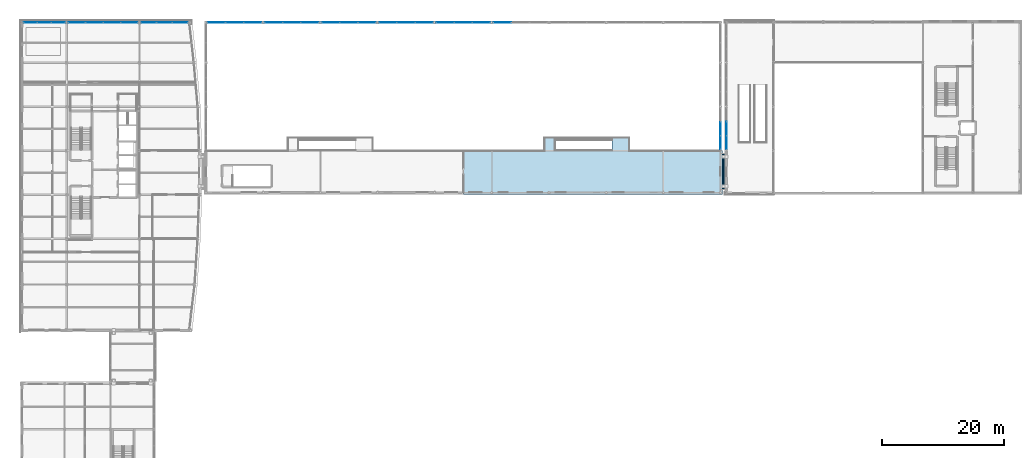
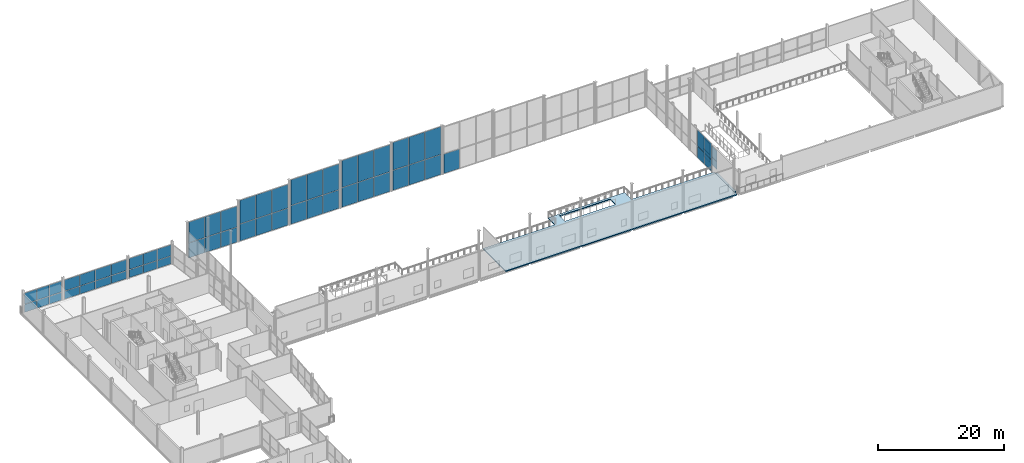
# One storey, part 56 of 77: 59 plates, 2 slabs, 11 elements without a shape of their own.
"""IFC4 building model written with IfcOpenShell, lengths in metres."""

from ifc_helpers import new_model, si_unit, direction, frame, origin, origin_2d, place, context, subcontext, project, spatial, polyline, rectangle, outline, extrude, material, layer, layer_set, type_object, element, aggregate, save


model = new_model("IFC4")

# Units and contexts
model_context = context("Model", 3, precision=1e-05, world=origin(), true_north=direction((0.0, 1.0)))
body_context = subcontext(model_context, "Body", "Model", "MODEL_VIEW")
ifc_project = project(units=[si_unit("LENGTHUNIT", "METRE"), si_unit("AREAUNIT", "SQUARE_METRE"), si_unit("VOLUMEUNIT", "CUBIC_METRE"), si_unit("PLANEANGLEUNIT", "RADIAN"), si_unit("MASSUNIT", "GRAM", prefix="KILO")], contexts=[model_context])

# Site, building, storey
site_placement = place(None, origin())
site = spatial("IfcSite", under=ifc_project, at=site_placement, CompositionType="ELEMENT")
building_placement = place(site_placement, origin())
building = spatial("IfcBuilding", under=site, at=building_placement, Name="Quillay Park Conservatory", CompositionType="ELEMENT")
storey_placement = place(building_placement, frame((0.0, 0.0, 5.39990234375)))
storey = spatial("IfcBuildingStorey", under=building, at=storey_placement, Name="L01", CompositionType="ELEMENT", Elevation=5.39990234375)

# Curtain wall, plates
ifc_material_1 = material(Name="Thermally Broken Anodised Aluminium 6063-T6", Category="aluminium")
ifc_layer_1 = layer(ifc_material_1, 0.179931640625)
ifc_layer_set_1 = layer_set([ifc_layer_1], Name="UNITISED CURTAIN WALL TOWER (Thermally Broken Anodised Aluminium 6063-T6)")
curtain_wall_type_1 = type_object("IfcCurtainWallType", Name="UNITISED CURTAIN WALL TOWER", PredefinedType="USERDEFINED", material=ifc_layer_set_1)
curtain_wall_1_placement = place(storey_placement, origin())
curtain_wall_1 = element("IfcCurtainWall", 1, at=curtain_wall_1_placement, inside=storey, type_object=curtain_wall_type_1, Name="L01 Unitised Curtain Wall 016", ObjectType="UNITISED CURTAIN WALL", PredefinedType="USERDEFINED")
ifc_material_2 = material(Name="Low-E Double Glazing (Laminated Tempered)", Category="glass")
ifc_layer_2 = layer(ifc_material_2, 0.028076171875)
ifc_layer_set_2 = layer_set([ifc_layer_2], Name="CURTAIN WALL GLAZED PANEL 28 (Low-E Double Glazing (Laminated Tempered))")
plate_type_1 = type_object("IfcPlateType", Name="CURTAIN WALL GLAZED PANEL 28", PredefinedType="CURTAIN_PANEL", material=ifc_layer_set_2)
plate_1_placement = place(storey_placement, frame((1.91748046875, 113.39990234375, 0.06982421875), z_axis=(0.0, 0.0, 1.0), x_axis=(1.0, 0.0, 0.0)))
plate_1 = element("IfcPlate", 2, at=plate_1_placement, type_object=plate_type_1, Name="CW-T1 panel 1.1", PredefinedType="CURTAIN_PANEL", context=body_context, shape_type="SweptSolid", body=[
    extrude(rectangle(XDim=2.195068359375, YDim=0.028076171875, at=origin_2d()), origin(), (0.0, 0.0, 1.0), 1.515869140625),
])
plate_2_placement = place(storey_placement, frame((1.91748046875, 113.39990234375, 1.65576171875), z_axis=(0.0, 0.0, 1.0), x_axis=(1.0, 0.0, 0.0)))
plate_2 = element("IfcPlate", 3, at=plate_2_placement, type_object=plate_type_1, Name="CW-T1 panel 1.2", PredefinedType="CURTAIN_PANEL", context=body_context, shape_type="SweptSolid", body=[
    extrude(rectangle(XDim=2.195068359375, YDim=0.028076171875, at=origin_2d()), origin(), (0.0, 0.0, 1.0), 2.13330078125),
])
plate_3_placement = place(storey_placement, frame((4.199951171875, 113.39990234375, 0.06982421875), z_axis=(0.0, 0.0, 1.0), x_axis=(1.0, 0.0, 0.0)))
plate_3 = element("IfcPlate", 4, at=plate_3_placement, type_object=plate_type_1, Name="CW-T1 panel 2.1", PredefinedType="CURTAIN_PANEL", context=body_context, shape_type="SweptSolid", body=[
    extrude(rectangle(XDim=2.22998046875, YDim=0.028076171875, at=origin_2d()), origin(), (0.0, 0.0, 1.0), 1.515869140625),
])
plate_4_placement = place(storey_placement, frame((4.199951171875, 113.39990234375, 1.65576171875), z_axis=(0.0, 0.0, 1.0), x_axis=(1.0, 0.0, 0.0)))
plate_4 = element("IfcPlate", 5, at=plate_4_placement, type_object=plate_type_1, Name="CW-T1 panel 2.2", PredefinedType="CURTAIN_PANEL", context=body_context, shape_type="SweptSolid", body=[
    extrude(rectangle(XDim=2.22998046875, YDim=0.028076171875, at=origin_2d()), origin(), (0.0, 0.0, 1.0), 2.13330078125),
])
plate_5_placement = place(storey_placement, frame((6.482421875, 113.39990234375, 0.06982421875), z_axis=(0.0, 0.0, 1.0), x_axis=(1.0, 0.0, 0.0)))
plate_5 = element("IfcPlate", 6, at=plate_5_placement, type_object=plate_type_1, Name="CW-T1 panel 3.1", PredefinedType="CURTAIN_PANEL", context=body_context, shape_type="SweptSolid", body=[
    extrude(rectangle(XDim=2.195068359375, YDim=0.028076171875, at=origin_2d()), origin(), (0.0, 0.0, 1.0), 1.515869140625),
])
plate_6_placement = place(storey_placement, frame((6.482421875, 113.39990234375, 1.65576171875), z_axis=(0.0, 0.0, 1.0), x_axis=(1.0, 0.0, 0.0)))
plate_6 = element("IfcPlate", 7, at=plate_6_placement, type_object=plate_type_1, Name="CW-T1 panel 3.2", PredefinedType="CURTAIN_PANEL", context=body_context, shape_type="SweptSolid", body=[
    extrude(rectangle(XDim=2.195068359375, YDim=0.028076171875, at=origin_2d()), origin(), (0.0, 0.0, 1.0), 2.13330078125),
])
aggregate(curtain_wall_1, [plate_1, plate_2, plate_3, plate_4, plate_5, plate_6])

curtain_wall_2_placement = place(storey_placement, origin())
curtain_wall_2 = element("IfcCurtainWall", 8, at=curtain_wall_2_placement, inside=storey, type_object=curtain_wall_type_1, Name="L01 Unitised Curtain Wall 017", ObjectType="UNITISED CURTAIN WALL", PredefinedType="USERDEFINED")
plate_7_placement = place(storey_placement, frame((9.5048828125, 113.39990234375, 0.06982421875), z_axis=(0.0, 0.0, 1.0), x_axis=(1.0, 0.0, 0.0)))
plate_7 = element("IfcPlate", 9, at=plate_7_placement, type_object=plate_type_1, Name="CW-T1 panel 1.1", PredefinedType="CURTAIN_PANEL", context=body_context, shape_type="SweptSolid", body=[
    extrude(rectangle(XDim=2.77001953125, YDim=0.028076171875, at=origin_2d()), origin(), (0.0, 0.0, 1.0), 1.515869140625),
])
plate_8_placement = place(storey_placement, frame((9.5048828125, 113.39990234375, 1.65576171875), z_axis=(0.0, 0.0, 1.0), x_axis=(1.0, 0.0, 0.0)))
plate_8 = element("IfcPlate", 10, at=plate_8_placement, type_object=plate_type_1, Name="CW-T1 panel 1.2", PredefinedType="CURTAIN_PANEL", context=body_context, shape_type="SweptSolid", body=[
    extrude(rectangle(XDim=2.77001953125, YDim=0.028076171875, at=origin_2d()), origin(), (0.0, 0.0, 1.0), 2.13330078125),
])
plate_9_placement = place(storey_placement, frame((12.362548828125, 113.39990234375, 0.06982421875), z_axis=(0.0, 0.0, 1.0), x_axis=(1.0, 0.0, 0.0)))
plate_9 = element("IfcPlate", 11, at=plate_9_placement, type_object=plate_type_1, Name="CW-T1 panel 2.1", PredefinedType="CURTAIN_PANEL", context=body_context, shape_type="SweptSolid", body=[
    extrude(rectangle(XDim=2.804931640625, YDim=0.028076171875, at=origin_2d()), origin(), (0.0, 0.0, 1.0), 1.515869140625),
])
plate_10_placement = place(storey_placement, frame((12.362548828125, 113.39990234375, 1.65576171875), z_axis=(0.0, 0.0, 1.0), x_axis=(1.0, 0.0, 0.0)))
plate_10 = element("IfcPlate", 12, at=plate_10_placement, type_object=plate_type_1, Name="CW-T1 panel 2.2", PredefinedType="CURTAIN_PANEL", context=body_context, shape_type="SweptSolid", body=[
    extrude(rectangle(XDim=2.804931640625, YDim=0.028076171875, at=origin_2d()), origin(), (0.0, 0.0, 1.0), 2.13330078125),
])
plate_11_placement = place(storey_placement, frame((15.237548828125, 113.39990234375, 0.06982421875), z_axis=(0.0, 0.0, 1.0), x_axis=(1.0, 0.0, 0.0)))
plate_11 = element("IfcPlate", 13, at=plate_11_placement, type_object=plate_type_1, Name="CW-T1 panel 3.1", PredefinedType="CURTAIN_PANEL", context=body_context, shape_type="SweptSolid", body=[
    extrude(rectangle(XDim=2.804931640625, YDim=0.028076171875, at=origin_2d()), origin(), (0.0, 0.0, 1.0), 1.515869140625),
])
plate_12_placement = place(storey_placement, frame((15.237548828125, 113.39990234375, 1.65576171875), z_axis=(0.0, 0.0, 1.0), x_axis=(1.0, 0.0, 0.0)))
plate_12 = element("IfcPlate", 14, at=plate_12_placement, type_object=plate_type_1, Name="CW-T1 panel 3.2", PredefinedType="CURTAIN_PANEL", context=body_context, shape_type="SweptSolid", body=[
    extrude(rectangle(XDim=2.804931640625, YDim=0.028076171875, at=origin_2d()), origin(), (0.0, 0.0, 1.0), 2.13330078125),
])
plate_13_placement = place(storey_placement, frame((18.094970703125, 113.39990234375, 0.06982421875), z_axis=(0.0, 0.0, 1.0), x_axis=(1.0, 0.0, 0.0)))
plate_13 = element("IfcPlate", 15, at=plate_13_placement, type_object=plate_type_1, Name="CW-T1 panel 4.1", PredefinedType="CURTAIN_PANEL", context=body_context, shape_type="SweptSolid", body=[
    extrude(rectangle(XDim=2.77001953125, YDim=0.028076171875, at=origin_2d()), origin(), (0.0, 0.0, 1.0), 1.515869140625),
])
plate_14_placement = place(storey_placement, frame((18.094970703125, 113.39990234375, 1.65576171875), z_axis=(0.0, 0.0, 1.0), x_axis=(1.0, 0.0, 0.0)))
plate_14 = element("IfcPlate", 16, at=plate_14_placement, type_object=plate_type_1, Name="CW-T1 panel 4.2", PredefinedType="CURTAIN_PANEL", context=body_context, shape_type="SweptSolid", body=[
    extrude(rectangle(XDim=2.77001953125, YDim=0.028076171875, at=origin_2d()), origin(), (0.0, 0.0, 1.0), 2.13330078125),
])
aggregate(curtain_wall_2, [plate_7, plate_8, plate_9, plate_10, plate_11, plate_12, plate_13, plate_14])

curtain_wall_3_placement = place(storey_placement, origin())
curtain_wall_3 = element("IfcCurtainWall", 17, at=curtain_wall_3_placement, inside=storey, type_object=curtain_wall_type_1, Name="L01 Unitised Curtain Wall 018", ObjectType="UNITISED CURTAIN WALL", PredefinedType="USERDEFINED")
plate_15_placement = place(storey_placement, frame((21.263427734375, 113.39990234375, 0.06982421875), z_axis=(0.0, 0.0, 1.0), x_axis=(1.0, 0.0, 0.0)))
plate_15 = element("IfcPlate", 18, at=plate_15_placement, type_object=plate_type_1, Name="CW-T1 panel 1.1", PredefinedType="CURTAIN_PANEL", context=body_context, shape_type="SweptSolid", body=[
    extrude(rectangle(XDim=2.486572265625, YDim=0.028076171875, at=origin_2d()), origin(), (0.0, 0.0, 1.0), 1.515869140625),
])
plate_16_placement = place(storey_placement, frame((21.263427734375, 113.39990234375, 1.65576171875), z_axis=(0.0, 0.0, 1.0), x_axis=(1.0, 0.0, 0.0)))
plate_16 = element("IfcPlate", 19, at=plate_16_placement, type_object=plate_type_1, Name="CW-T1 panel 1.2", PredefinedType="CURTAIN_PANEL", context=body_context, shape_type="SweptSolid", body=[
    extrude(rectangle(XDim=2.486572265625, YDim=0.028076171875, at=origin_2d()), origin(), (0.0, 0.0, 1.0), 2.13330078125),
])
plate_17_placement = place(storey_placement, frame((23.83740234375, 113.39990234375, 0.06982421875), z_axis=(0.0, 0.0, 1.0), x_axis=(1.0, 0.0, 0.0)))
plate_17 = element("IfcPlate", 20, at=plate_17_placement, type_object=plate_type_1, Name="CW-T1 panel 2.1", PredefinedType="CURTAIN_PANEL", context=body_context, shape_type="SweptSolid", body=[
    extrude(rectangle(XDim=2.521728515625, YDim=0.028076171875, at=origin_2d()), origin(), (0.0, 0.0, 1.0), 1.515869140625),
])
plate_18_placement = place(storey_placement, frame((23.83740234375, 113.39990234375, 1.65576171875), z_axis=(0.0, 0.0, 1.0), x_axis=(1.0, 0.0, 0.0)))
plate_18 = element("IfcPlate", 21, at=plate_18_placement, type_object=plate_type_1, Name="CW-T1 panel 2.2", PredefinedType="CURTAIN_PANEL", context=body_context, shape_type="SweptSolid", body=[
    extrude(rectangle(XDim=2.521728515625, YDim=0.028076171875, at=origin_2d()), origin(), (0.0, 0.0, 1.0), 2.13330078125),
])
plate_19_placement = place(storey_placement, frame((26.41162109375, 113.39990234375, 0.06982421875), z_axis=(0.0, 0.0, 1.0), x_axis=(1.0, 0.0, 0.0)))
plate_19 = element("IfcPlate", 22, at=plate_19_placement, type_object=plate_type_1, Name="CW-T1 panel 3.1", PredefinedType="CURTAIN_PANEL", context=body_context, shape_type="SweptSolid", body=[
    extrude(rectangle(XDim=2.486572265625, YDim=0.028076171875, at=origin_2d()), origin(), (0.0, 0.0, 1.0), 1.515869140625),
])
plate_20_placement = place(storey_placement, frame((26.41162109375, 113.39990234375, 1.65576171875), z_axis=(0.0, 0.0, 1.0), x_axis=(1.0, 0.0, 0.0)))
plate_20 = element("IfcPlate", 23, at=plate_20_placement, type_object=plate_type_1, Name="CW-T1 panel 3.2", PredefinedType="CURTAIN_PANEL", context=body_context, shape_type="SweptSolid", body=[
    extrude(rectangle(XDim=2.486572265625, YDim=0.028076171875, at=origin_2d()), origin(), (0.0, 0.0, 1.0), 2.13330078125),
])
aggregate(curtain_wall_3, [plate_15, plate_16, plate_17, plate_18, plate_19, plate_20])

ifc_material_3 = material(Name="Thermally Broken Anodised Aluminium 6063-T6", Category="aluminium")
ifc_layer_3 = layer(ifc_material_3, 0.1650390625)
ifc_layer_set_3 = layer_set([ifc_layer_3], Name="UNITISED CURTAIN WALL PODIUM (Thermally Broken Anodised Aluminium 6063-T6)")
curtain_wall_type_2 = type_object("IfcCurtainWallType", Name="UNITISED CURTAIN WALL PODIUM", PredefinedType="USERDEFINED", material=ifc_layer_set_3)
curtain_wall_4_placement = place(storey_placement, origin())
curtain_wall_4 = element("IfcCurtainWall", 24, at=curtain_wall_4_placement, inside=storey, type_object=curtain_wall_type_2, Name="L01 Unitised Curtain Wall 224", ObjectType="UNITISED CURTAIN WALL", PredefinedType="USERDEFINED")
plate_21_placement = place(storey_placement, frame((115.85009765625, 93.72412109375, 0.0703125), z_axis=(0.0, 0.0, 1.0), x_axis=(0.0, 1.0, 0.0)))
plate_21 = element("IfcPlate", 25, at=plate_21_placement, type_object=plate_type_1, Name="CW-P1 panel 1.1", PredefinedType="CURTAIN_PANEL", context=body_context, shape_type="SweptSolid", body=[
    extrude(rectangle(XDim=2.188232421875, YDim=0.028076171875, at=origin_2d()), origin(), (0.0, 0.0, 1.0), 1.469482421875),
])
plate_22_placement = place(storey_placement, frame((115.85009765625, 93.72412109375, 1.609619140625), z_axis=(0.0, 0.0, 1.0), x_axis=(0.0, 1.0, 0.0)))
plate_22 = element("IfcPlate", 26, at=plate_22_placement, type_object=plate_type_1, Name="CW-P1 panel 1.2", PredefinedType="CURTAIN_PANEL", context=body_context, shape_type="SweptSolid", body=[
    extrude(rectangle(XDim=2.188232421875, YDim=0.028076171875, at=origin_2d()), origin(), (0.0, 0.0, 1.0), 2.0693359375),
])
plate_23_placement = place(storey_placement, frame((115.85009765625, 96.0, 0.0703125), z_axis=(0.0, 0.0, 1.0), x_axis=(0.0, 1.0, 0.0)))
plate_23 = element("IfcPlate", 27, at=plate_23_placement, type_object=plate_type_1, Name="CW-P1 panel 2.1", PredefinedType="CURTAIN_PANEL", context=body_context, shape_type="SweptSolid", body=[
    extrude(rectangle(XDim=2.223388671875, YDim=0.028076171875, at=origin_2d()), origin(), (0.0, 0.0, 1.0), 1.469482421875),
])
plate_24_placement = place(storey_placement, frame((115.85009765625, 96.0, 1.609619140625), z_axis=(0.0, 0.0, 1.0), x_axis=(0.0, 1.0, 0.0)))
plate_24 = element("IfcPlate", 28, at=plate_24_placement, type_object=plate_type_1, Name="CW-P1 panel 2.2", PredefinedType="CURTAIN_PANEL", context=body_context, shape_type="SweptSolid", body=[
    extrude(rectangle(XDim=2.223388671875, YDim=0.028076171875, at=origin_2d()), origin(), (0.0, 0.0, 1.0), 2.0693359375),
])
aggregate(curtain_wall_4, [plate_21, plate_22, plate_23, plate_24])

ifc_material_4 = material(Name="Thermally Broken Anodised Aluminium 6063-T6", Category="aluminium")
ifc_layer_4 = layer(ifc_material_4, 0.219970703125)
ifc_layer_set_4 = layer_set([ifc_layer_4], Name="UNITISED CURTAIN WALL CONSERVATORY (Thermally Broken Anodised Aluminium 6063-T6)")
curtain_wall_type_3 = type_object("IfcCurtainWallType", Name="UNITISED CURTAIN WALL CONSERVATORY", PredefinedType="USERDEFINED", material=ifc_layer_set_4)
curtain_wall_5_placement = place(storey_placement, origin())
curtain_wall_5 = element("IfcCurtainWall", 29, at=curtain_wall_5_placement, inside=storey, type_object=curtain_wall_type_3, Name="L01 Unitised Curtain Wall 148", ObjectType="UNITISED CURTAIN WALL", PredefinedType="USERDEFINED")
ifc_material_5 = material(Name="Low-Iron Laminated Insulated Glazing", Category="glass")
ifc_layer_5 = layer(ifc_material_5, 0.031982421875)
ifc_layer_set_5 = layer_set([ifc_layer_5], Name="CURTAIN WALL GLAZED PANEL 32 (Low-Iron Laminated Insulated Glazing)")
plate_type_2 = type_object("IfcPlateType", Name="CURTAIN WALL GLAZED PANEL 32", PredefinedType="CURTAIN_PANEL", material=ifc_layer_set_5)
plate_25_placement = place(storey_placement, frame((32.361328125, 113.39990234375, 0.070068359375), z_axis=(0.0, 0.0, 1.0), x_axis=(1.0, 0.0, 0.0)))
plate_25 = element("IfcPlate", 30, at=plate_25_placement, type_object=plate_type_2, Name="CW-C1 panel 1.1", PredefinedType="CURTAIN_PANEL", context=body_context, shape_type="SweptSolid", body=[
    extrude(rectangle(XDim=2.87890625, YDim=0.031982421875, at=origin_2d()), origin(), (0.0, 0.0, 1.0), 2.87890625),
])
plate_26_placement = place(storey_placement, frame((32.361328125, 113.39990234375, 3.01904296875), z_axis=(0.0, 0.0, 1.0), x_axis=(1.0, 0.0, 0.0)))
plate_26 = element("IfcPlate", 31, at=plate_26_placement, type_object=plate_type_2, Name="CW-C1 panel 1.2", PredefinedType="CURTAIN_PANEL", context=body_context, shape_type="SweptSolid", body=[
    extrude(rectangle(XDim=2.87890625, YDim=0.031982421875, at=origin_2d()), origin(), (0.0, 0.0, 1.0), 4.015380859375),
])
plate_27_placement = place(storey_placement, frame((35.327880859375, 113.39990234375, 0.070068359375), z_axis=(0.0, 0.0, 1.0), x_axis=(1.0, 0.0, 0.0)))
plate_27 = element("IfcPlate", 32, at=plate_27_placement, type_object=plate_type_2, Name="CW-C1 panel 2.1", PredefinedType="CURTAIN_PANEL", context=body_context, shape_type="SweptSolid", body=[
    extrude(rectangle(XDim=2.913818359375, YDim=0.031982421875, at=origin_2d()), origin(), (0.0, 0.0, 1.0), 2.87890625),
])
plate_28_placement = place(storey_placement, frame((35.327880859375, 113.39990234375, 3.01904296875), z_axis=(0.0, 0.0, 1.0), x_axis=(1.0, 0.0, 0.0)))
plate_28 = element("IfcPlate", 33, at=plate_28_placement, type_object=plate_type_2, Name="CW-C1 panel 2.2", PredefinedType="CURTAIN_PANEL", context=body_context, shape_type="SweptSolid", body=[
    extrude(rectangle(XDim=2.913818359375, YDim=0.031982421875, at=origin_2d()), origin(), (0.0, 0.0, 1.0), 4.015380859375),
])
plate_29_placement = place(storey_placement, frame((38.294189453125, 113.39990234375, 0.070068359375), z_axis=(0.0, 0.0, 1.0), x_axis=(1.0, 0.0, 0.0)))
plate_29 = element("IfcPlate", 34, at=plate_29_placement, type_object=plate_type_2, Name="CW-C1 panel 3.1", PredefinedType="CURTAIN_PANEL", context=body_context, shape_type="SweptSolid", body=[
    extrude(rectangle(XDim=2.87890625, YDim=0.031982421875, at=origin_2d()), origin(), (0.0, 0.0, 1.0), 2.87890625),
])
plate_30_placement = place(storey_placement, frame((38.294189453125, 113.39990234375, 3.01904296875), z_axis=(0.0, 0.0, 1.0), x_axis=(1.0, 0.0, 0.0)))
plate_30 = element("IfcPlate", 35, at=plate_30_placement, type_object=plate_type_2, Name="CW-C1 panel 3.2", PredefinedType="CURTAIN_PANEL", context=body_context, shape_type="SweptSolid", body=[
    extrude(rectangle(XDim=2.87890625, YDim=0.031982421875, at=origin_2d()), origin(), (0.0, 0.0, 1.0), 4.015380859375),
])
aggregate(curtain_wall_5, [plate_25, plate_26, plate_27, plate_28, plate_29, plate_30])

curtain_wall_6_placement = place(storey_placement, origin())
curtain_wall_6 = element("IfcCurtainWall", 36, at=curtain_wall_6_placement, inside=storey, type_object=curtain_wall_type_3, Name="L01 Unitised Curtain Wall 149", ObjectType="UNITISED CURTAIN WALL", PredefinedType="USERDEFINED")
plate_31_placement = place(storey_placement, frame((41.717041015625, 113.39990234375, 0.070068359375), z_axis=(0.0, 0.0, 1.0), x_axis=(1.0, 0.0, 0.0)))
plate_31 = element("IfcPlate", 37, at=plate_31_placement, type_object=plate_type_2, Name="CW-C1 panel 1.1", PredefinedType="CURTAIN_PANEL", context=body_context, shape_type="SweptSolid", body=[
    extrude(rectangle(XDim=2.87890625, YDim=0.031982421875, at=origin_2d()), origin(), (0.0, 0.0, 1.0), 3.27099609375),
])
plate_32_placement = place(storey_placement, frame((41.717041015625, 113.39990234375, 3.4111328125), z_axis=(0.0, 0.0, 1.0), x_axis=(1.0, 0.0, 0.0)))
plate_32 = element("IfcPlate", 38, at=plate_32_placement, type_object=plate_type_2, Name="CW-C1 panel 1.2", PredefinedType="CURTAIN_PANEL", context=body_context, shape_type="SweptSolid", body=[
    extrude(rectangle(XDim=2.87890625, YDim=0.031982421875, at=origin_2d()), origin(), (0.0, 0.0, 1.0), 4.556884765625),
])
plate_33_placement = place(storey_placement, frame((44.683349609375, 113.39990234375, 0.070068359375), z_axis=(0.0, 0.0, 1.0), x_axis=(1.0, 0.0, 0.0)))
plate_33 = element("IfcPlate", 39, at=plate_33_placement, type_object=plate_type_2, Name="CW-C1 panel 2.1", PredefinedType="CURTAIN_PANEL", context=body_context, shape_type="SweptSolid", body=[
    extrude(rectangle(XDim=2.913818359375, YDim=0.031982421875, at=origin_2d()), origin(), (0.0, 0.0, 1.0), 3.27099609375),
])
plate_34_placement = place(storey_placement, frame((44.683349609375, 113.39990234375, 3.4111328125), z_axis=(0.0, 0.0, 1.0), x_axis=(1.0, 0.0, 0.0)))
plate_34 = element("IfcPlate", 40, at=plate_34_placement, type_object=plate_type_2, Name="CW-C1 panel 2.2", PredefinedType="CURTAIN_PANEL", context=body_context, shape_type="SweptSolid", body=[
    extrude(rectangle(XDim=2.913818359375, YDim=0.031982421875, at=origin_2d()), origin(), (0.0, 0.0, 1.0), 4.556884765625),
])
plate_35_placement = place(storey_placement, frame((47.649658203125, 113.39990234375, 0.070068359375), z_axis=(0.0, 0.0, 1.0), x_axis=(1.0, 0.0, 0.0)))
plate_35 = element("IfcPlate", 41, at=plate_35_placement, type_object=plate_type_2, Name="CW-C1 panel 3.1", PredefinedType="CURTAIN_PANEL", context=body_context, shape_type="SweptSolid", body=[
    extrude(rectangle(XDim=2.87890625, YDim=0.031982421875, at=origin_2d()), origin(), (0.0, 0.0, 1.0), 3.27099609375),
])
plate_36_placement = place(storey_placement, frame((47.649658203125, 113.39990234375, 3.4111328125), z_axis=(0.0, 0.0, 1.0), x_axis=(1.0, 0.0, 0.0)))
plate_36 = element("IfcPlate", 42, at=plate_36_placement, type_object=plate_type_2, Name="CW-C1 panel 3.2", PredefinedType="CURTAIN_PANEL", context=body_context, shape_type="SweptSolid", body=[
    extrude(rectangle(XDim=2.87890625, YDim=0.031982421875, at=origin_2d()), origin(), (0.0, 0.0, 1.0), 4.556884765625),
])
aggregate(curtain_wall_6, [plate_31, plate_32, plate_33, plate_34, plate_35, plate_36])

curtain_wall_7_placement = place(storey_placement, origin())
curtain_wall_7 = element("IfcCurtainWall", 43, at=curtain_wall_7_placement, inside=storey, type_object=curtain_wall_type_3, Name="L01 Unitised Curtain Wall 151", ObjectType="UNITISED CURTAIN WALL", PredefinedType="USERDEFINED")
plate_37_placement = place(storey_placement, frame((51.072509765625, 113.39990234375, 0.06982421875), z_axis=(0.0, 0.0, 1.0), x_axis=(1.0, 0.0, 0.0)))
plate_37 = element("IfcPlate", 44, at=plate_37_placement, type_object=plate_type_2, Name="CW-C1 panel 1.1", PredefinedType="CURTAIN_PANEL", context=body_context, shape_type="SweptSolid", body=[
    extrude(rectangle(XDim=2.87890625, YDim=0.031982421875, at=origin_2d()), origin(), (0.0, 0.0, 1.0), 3.564697265625),
])
plate_38_placement = place(storey_placement, frame((51.072509765625, 113.39990234375, 3.70458984375), z_axis=(0.0, 0.0, 1.0), x_axis=(1.0, 0.0, 0.0)))
plate_38 = element("IfcPlate", 45, at=plate_38_placement, type_object=plate_type_2, Name="CW-C1 panel 1.2", PredefinedType="CURTAIN_PANEL", context=body_context, shape_type="SweptSolid", body=[
    extrude(rectangle(XDim=2.87890625, YDim=0.031982421875, at=origin_2d()), origin(), (0.0, 0.0, 1.0), 4.96240234375),
])
plate_39_placement = place(storey_placement, frame((54.038818359375, 113.39990234375, 0.06982421875), z_axis=(0.0, 0.0, 1.0), x_axis=(1.0, 0.0, 0.0)))
plate_39 = element("IfcPlate", 46, at=plate_39_placement, type_object=plate_type_2, Name="CW-C1 panel 2.1", PredefinedType="CURTAIN_PANEL", context=body_context, shape_type="SweptSolid", body=[
    extrude(rectangle(XDim=2.913818359375, YDim=0.031982421875, at=origin_2d()), origin(), (0.0, 0.0, 1.0), 3.564697265625),
])
plate_40_placement = place(storey_placement, frame((54.038818359375, 113.39990234375, 3.70458984375), z_axis=(0.0, 0.0, 1.0), x_axis=(1.0, 0.0, 0.0)))
plate_40 = element("IfcPlate", 47, at=plate_40_placement, type_object=plate_type_2, Name="CW-C1 panel 2.2", PredefinedType="CURTAIN_PANEL", context=body_context, shape_type="SweptSolid", body=[
    extrude(rectangle(XDim=2.913818359375, YDim=0.031982421875, at=origin_2d()), origin(), (0.0, 0.0, 1.0), 4.96240234375),
])
plate_41_placement = place(storey_placement, frame((57.00537109375, 113.39990234375, 0.06982421875), z_axis=(0.0, 0.0, 1.0), x_axis=(1.0, 0.0, 0.0)))
plate_41 = element("IfcPlate", 48, at=plate_41_placement, type_object=plate_type_2, Name="CW-C1 panel 3.1", PredefinedType="CURTAIN_PANEL", context=body_context, shape_type="SweptSolid", body=[
    extrude(rectangle(XDim=2.87890625, YDim=0.031982421875, at=origin_2d()), origin(), (0.0, 0.0, 1.0), 3.564697265625),
])
plate_42_placement = place(storey_placement, frame((57.00537109375, 113.39990234375, 3.70458984375), z_axis=(0.0, 0.0, 1.0), x_axis=(1.0, 0.0, 0.0)))
plate_42 = element("IfcPlate", 49, at=plate_42_placement, type_object=plate_type_2, Name="CW-C1 panel 3.2", PredefinedType="CURTAIN_PANEL", context=body_context, shape_type="SweptSolid", body=[
    extrude(rectangle(XDim=2.87890625, YDim=0.031982421875, at=origin_2d()), origin(), (0.0, 0.0, 1.0), 4.96240234375),
])
aggregate(curtain_wall_7, [plate_37, plate_38, plate_39, plate_40, plate_41, plate_42])

curtain_wall_8_placement = place(storey_placement, origin())
curtain_wall_8 = element("IfcCurtainWall", 50, at=curtain_wall_8_placement, inside=storey, type_object=curtain_wall_type_3, Name="L01 Unitised Curtain Wall 153", ObjectType="UNITISED CURTAIN WALL", PredefinedType="USERDEFINED")
plate_43_placement = place(storey_placement, frame((60.42822265625, 113.39990234375, 0.070068359375), z_axis=(0.0, 0.0, 1.0), x_axis=(1.0, 0.0, 0.0)))
plate_43 = element("IfcPlate", 51, at=plate_43_placement, type_object=plate_type_2, Name="CW-C1 panel 1.1", PredefinedType="CURTAIN_PANEL", context=body_context, shape_type="SweptSolid", body=[
    extrude(rectangle(XDim=2.87890625, YDim=0.031982421875, at=origin_2d()), origin(), (0.0, 0.0, 1.0), 3.759765625),
])
plate_44_placement = place(storey_placement, frame((60.42822265625, 113.39990234375, 3.89990234375), z_axis=(0.0, 0.0, 1.0), x_axis=(1.0, 0.0, 0.0)))
plate_44 = element("IfcPlate", 52, at=plate_44_placement, type_object=plate_type_2, Name="CW-C1 panel 1.2", PredefinedType="CURTAIN_PANEL", context=body_context, shape_type="SweptSolid", body=[
    extrude(rectangle(XDim=2.87890625, YDim=0.031982421875, at=origin_2d()), origin(), (0.0, 0.0, 1.0), 5.232177734375),
])
plate_45_placement = place(storey_placement, frame((63.39453125, 113.39990234375, 0.070068359375), z_axis=(0.0, 0.0, 1.0), x_axis=(1.0, 0.0, 0.0)))
plate_45 = element("IfcPlate", 53, at=plate_45_placement, type_object=plate_type_2, Name="CW-C1 panel 2.1", PredefinedType="CURTAIN_PANEL", context=body_context, shape_type="SweptSolid", body=[
    extrude(rectangle(XDim=2.913818359375, YDim=0.031982421875, at=origin_2d()), origin(), (0.0, 0.0, 1.0), 3.759765625),
])
plate_46_placement = place(storey_placement, frame((63.39453125, 113.39990234375, 3.89990234375), z_axis=(0.0, 0.0, 1.0), x_axis=(1.0, 0.0, 0.0)))
plate_46 = element("IfcPlate", 54, at=plate_46_placement, type_object=plate_type_2, Name="CW-C1 panel 2.2", PredefinedType="CURTAIN_PANEL", context=body_context, shape_type="SweptSolid", body=[
    extrude(rectangle(XDim=2.913818359375, YDim=0.031982421875, at=origin_2d()), origin(), (0.0, 0.0, 1.0), 5.232177734375),
])
plate_47_placement = place(storey_placement, frame((66.36083984375, 113.39990234375, 0.070068359375), z_axis=(0.0, 0.0, 1.0), x_axis=(1.0, 0.0, 0.0)))
plate_47 = element("IfcPlate", 55, at=plate_47_placement, type_object=plate_type_2, Name="CW-C1 panel 3.1", PredefinedType="CURTAIN_PANEL", context=body_context, shape_type="SweptSolid", body=[
    extrude(rectangle(XDim=2.87890625, YDim=0.031982421875, at=origin_2d()), origin(), (0.0, 0.0, 1.0), 3.759765625),
])
plate_48_placement = place(storey_placement, frame((66.36083984375, 113.39990234375, 3.89990234375), z_axis=(0.0, 0.0, 1.0), x_axis=(1.0, 0.0, 0.0)))
plate_48 = element("IfcPlate", 56, at=plate_48_placement, type_object=plate_type_2, Name="CW-C1 panel 3.2", PredefinedType="CURTAIN_PANEL", context=body_context, shape_type="SweptSolid", body=[
    extrude(rectangle(XDim=2.87890625, YDim=0.031982421875, at=origin_2d()), origin(), (0.0, 0.0, 1.0), 5.232177734375),
])
aggregate(curtain_wall_8, [plate_43, plate_44, plate_45, plate_46, plate_47, plate_48])

curtain_wall_9_placement = place(storey_placement, origin())
curtain_wall_9 = element("IfcCurtainWall", 57, at=curtain_wall_9_placement, inside=storey, type_object=curtain_wall_type_3, Name="L01 Unitised Curtain Wall 155", ObjectType="UNITISED CURTAIN WALL", PredefinedType="USERDEFINED")
plate_49_placement = place(storey_placement, frame((69.78369140625, 113.39990234375, 0.0703125), z_axis=(0.0, 0.0, 1.0), x_axis=(1.0, 0.0, 0.0)))
plate_49 = element("IfcPlate", 58, at=plate_49_placement, type_object=plate_type_2, Name="CW-C1 panel 1.1", PredefinedType="CURTAIN_PANEL", context=body_context, shape_type="SweptSolid", body=[
    extrude(rectangle(XDim=2.87890625, YDim=0.031982421875, at=origin_2d()), origin(), (0.0, 0.0, 1.0), 3.858154296875),
])
plate_50_placement = place(storey_placement, frame((69.78369140625, 113.39990234375, 3.99853515625), z_axis=(0.0, 0.0, 1.0), x_axis=(1.0, 0.0, 0.0)))
plate_50 = element("IfcPlate", 59, at=plate_50_placement, type_object=plate_type_2, Name="CW-C1 panel 1.2", PredefinedType="CURTAIN_PANEL", context=body_context, shape_type="SweptSolid", body=[
    extrude(rectangle(XDim=2.87890625, YDim=0.031982421875, at=origin_2d()), origin(), (0.0, 0.0, 1.0), 5.367919921875),
])
plate_51_placement = place(storey_placement, frame((72.75, 113.39990234375, 0.0703125), z_axis=(0.0, 0.0, 1.0), x_axis=(1.0, 0.0, 0.0)))
plate_51 = element("IfcPlate", 60, at=plate_51_placement, type_object=plate_type_2, Name="CW-C1 panel 2.1", PredefinedType="CURTAIN_PANEL", context=body_context, shape_type="SweptSolid", body=[
    extrude(rectangle(XDim=2.913818359375, YDim=0.031982421875, at=origin_2d()), origin(), (0.0, 0.0, 1.0), 3.858154296875),
])
plate_52_placement = place(storey_placement, frame((72.75, 113.39990234375, 3.99853515625), z_axis=(0.0, 0.0, 1.0), x_axis=(1.0, 0.0, 0.0)))
plate_52 = element("IfcPlate", 61, at=plate_52_placement, type_object=plate_type_2, Name="CW-C1 panel 2.2", PredefinedType="CURTAIN_PANEL", context=body_context, shape_type="SweptSolid", body=[
    extrude(rectangle(XDim=2.913818359375, YDim=0.031982421875, at=origin_2d()), origin(), (0.0, 0.0, 1.0), 5.367919921875),
])
plate_53_placement = place(storey_placement, frame((75.71630859375, 113.39990234375, 0.0703125), z_axis=(0.0, 0.0, 1.0), x_axis=(1.0, 0.0, 0.0)))
plate_53 = element("IfcPlate", 62, at=plate_53_placement, type_object=plate_type_2, Name="CW-C1 panel 3.1", PredefinedType="CURTAIN_PANEL", context=body_context, shape_type="SweptSolid", body=[
    extrude(rectangle(XDim=2.87890625, YDim=0.031982421875, at=origin_2d()), origin(), (0.0, 0.0, 1.0), 3.858154296875),
])
plate_54_placement = place(storey_placement, frame((75.71630859375, 113.39990234375, 3.99853515625), z_axis=(0.0, 0.0, 1.0), x_axis=(1.0, 0.0, 0.0)))
plate_54 = element("IfcPlate", 63, at=plate_54_placement, type_object=plate_type_2, Name="CW-C1 panel 3.2", PredefinedType="CURTAIN_PANEL", context=body_context, shape_type="SweptSolid", body=[
    extrude(rectangle(XDim=2.87890625, YDim=0.031982421875, at=origin_2d()), origin(), (0.0, 0.0, 1.0), 5.367919921875),
])
aggregate(curtain_wall_9, [plate_49, plate_50, plate_51, plate_52, plate_53, plate_54])

# Curtain wall, plate
curtain_wall_10_placement = place(storey_placement, origin())
curtain_wall_10 = element("IfcCurtainWall", 64, at=curtain_wall_10_placement, inside=storey, type_object=curtain_wall_type_3, Name="L01 Unitised Curtain Wall 156", ObjectType="UNITISED CURTAIN WALL", PredefinedType="USERDEFINED")
plate_55_placement = place(storey_placement, frame((79.13916015625, 113.39990234375, 0.070068359375), z_axis=(0.0, 0.0, 1.0), x_axis=(1.0, 0.0, 0.0)))
plate_55 = element("IfcPlate", 65, at=plate_55_placement, type_object=plate_type_2, Name="CW-C1 panel 1.1", PredefinedType="CURTAIN_PANEL", context=body_context, shape_type="SweptSolid", body=[
    extrude(rectangle(XDim=2.87890625, YDim=0.031982421875, at=origin_2d()), origin(), (0.0, 0.0, 1.0), 3.759765625),
])
aggregate(curtain_wall_10, [plate_55])

# Curtain wall, plates
curtain_wall_11_placement = place(storey_placement, origin())
curtain_wall_11 = element("IfcCurtainWall", 66, at=curtain_wall_11_placement, inside=storey, type_object=curtain_wall_type_3, Name="L01 Unitised Curtain Wall 166", ObjectType="UNITISED CURTAIN WALL", PredefinedType="USERDEFINED")
plate_56_placement = place(storey_placement, frame((114.85009765625, 96.0, 0.070068359375), z_axis=(0.0, 0.0, 1.0), x_axis=(0.0, -1.0, 0.0)))
plate_56 = element("IfcPlate", 67, at=plate_56_placement, type_object=plate_type_2, Name="CW-C1 panel 2.1", PredefinedType="CURTAIN_PANEL", context=body_context, shape_type="SweptSolid", body=[
    extrude(rectangle(XDim=2.1953125, YDim=0.031982421875, at=origin_2d()), origin(), (0.0, 0.0, 1.0), 2.205078125),
])
plate_57_placement = place(storey_placement, frame((114.85009765625, 96.0, 2.34521484375), z_axis=(0.0, 0.0, 1.0), x_axis=(0.0, -1.0, 0.0)))
plate_57 = element("IfcPlate", 68, at=plate_57_placement, type_object=plate_type_2, Name="CW-C1 panel 2.2", PredefinedType="CURTAIN_PANEL", context=body_context, shape_type="SweptSolid", body=[
    extrude(rectangle(XDim=2.1953125, YDim=0.031982421875, at=origin_2d()), origin(), (0.0, 0.0, 1.0), 3.0849609375),
])
plate_58_placement = place(storey_placement, frame((114.85009765625, 93.752197265625, 0.070068359375), z_axis=(0.0, 0.0, 1.0), x_axis=(0.0, -1.0, 0.0)))
plate_58 = element("IfcPlate", 69, at=plate_58_placement, type_object=plate_type_2, Name="CW-C1 panel 3.1", PredefinedType="CURTAIN_PANEL", context=body_context, shape_type="SweptSolid", body=[
    extrude(rectangle(XDim=2.160400390625, YDim=0.031982421875, at=origin_2d()), origin(), (0.0, 0.0, 1.0), 2.205078125),
])
plate_59_placement = place(storey_placement, frame((114.85009765625, 93.752197265625, 2.34521484375), z_axis=(0.0, 0.0, 1.0), x_axis=(0.0, -1.0, 0.0)))
plate_59 = element("IfcPlate", 70, at=plate_59_placement, type_object=plate_type_2, Name="CW-C1 panel 3.2", PredefinedType="CURTAIN_PANEL", context=body_context, shape_type="SweptSolid", body=[
    extrude(rectangle(XDim=2.160400390625, YDim=0.031982421875, at=origin_2d()), origin(), (0.0, 0.0, 1.0), 3.0849609375),
])
aggregate(curtain_wall_11, [plate_56, plate_57, plate_58, plate_59])

# Slabs
ifc_material_6 = material(Name="Concrete C35/45 (NCh170 Concrete C35/45)", Category="concrete")
ifc_layer_6 = layer(ifc_material_6, 0.199951171875)
ifc_layer_set_6 = layer_set([ifc_layer_6], Name="SUSPENDED FLOOR SLAB 200 (Concrete C35/45 (NCh170 Concrete C35/45))")
slab_type_1 = type_object("IfcSlabType", Name="SUSPENDED FLOOR SLAB 200", PredefinedType="FLOOR", material=ifc_layer_set_6)
slab_1_placement = place(storey_placement, frame((0.0, 0.0, -0.199951171875)))
element("IfcSlab", 71, at=slab_1_placement, inside=storey, type_object=slab_type_1, Name="L01 Seismic Link Bridge LB-3 Threshold Slab", PredefinedType="FLOOR", context=body_context, shape_type="SweptSolid", body=[
    extrude(outline(polyline([(115.199951171875, 86.0), (115.5, 86.0), (115.5, 92.0), (115.199951171875, 92.0), (115.199951171875, 86.0)])), origin(), (0.0, 0.0, 1.0), 0.199951171875),
])
ifc_material_7 = material(Name="Concrete C35/45 (NCh170 Concrete C35/45)", Category="concrete")
ifc_layer_7 = layer(ifc_material_7, 0.2099609375)
ifc_layer_set_7 = layer_set([ifc_layer_7], Name="SUSPENDED FLOOR SLAB 210 (Concrete C35/45 (NCh170 Concrete C35/45))")
slab_type_2 = type_object("IfcSlabType", Name="SUSPENDED FLOOR SLAB 210", PredefinedType="FLOOR", material=ifc_layer_set_7)
slab_2_placement = place(storey_placement, frame((0.0, 0.0, -0.2099609375)))
element("IfcSlab", 72, at=slab_2_placement, inside=storey, type_object=slab_type_2, Name="L01 Conservatory East Canopy Walk Slab", PredefinedType="FLOOR", context=body_context, shape_type="SweptSolid", body=[
    extrude(outline(polyline([(72.800048828125, 85.199951171875), (115.199951171875, 85.199951171875), (115.199951171875, 92.39990234375), (100.0, 92.39990234375), (100.0, 94.60009765625), (86.0, 94.60009765625), (86.0, 92.39990234375), (72.800048828125, 92.39990234375), (72.800048828125, 85.199951171875)]), holes=[polyline([(87.800048828125, 92.449951171875), (97.1201171875, 92.449951171875), (97.1201171875, 94.14990234375), (87.800048828125, 94.14990234375), (87.800048828125, 92.449951171875)])]), origin(), (0.0, 0.0, 1.0), 0.2099609375),
])

save(model, "model.ifc")
